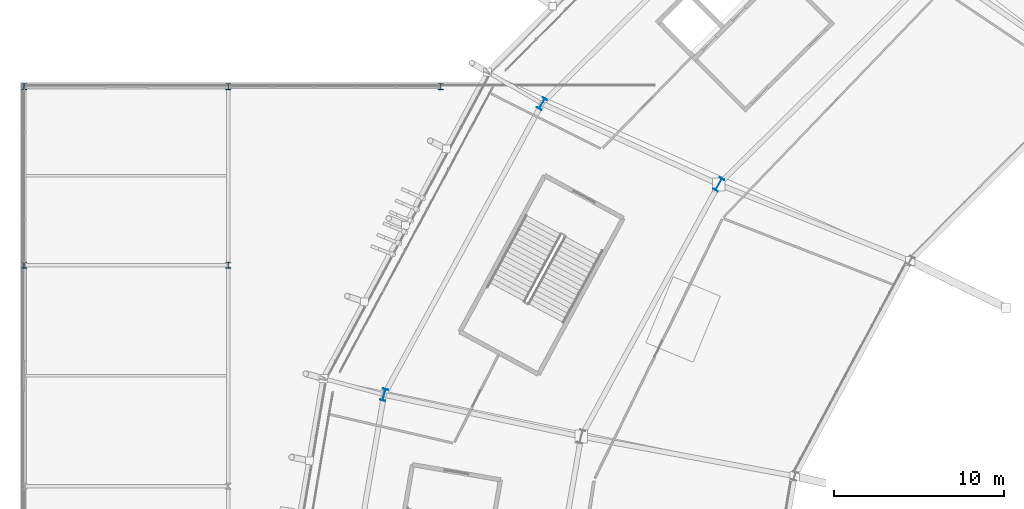
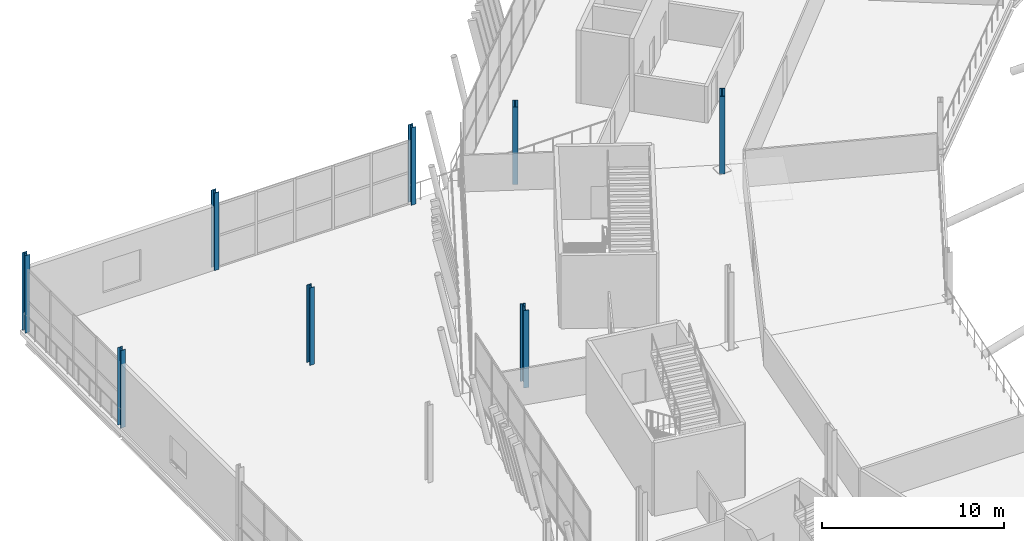
# One storey, part 7 of 168: 8 columns.
"""IFC4 building model written with IfcOpenShell, lengths in metres."""

from ifc_helpers import new_model, si_unit, direction, frame, origin, origin_2d, place, context, subcontext, project, spatial, i_section, extrude, material, material_profile, profile_set, type_object, element, save


model = new_model("IFC4")

# Units and contexts
model_context = context("Model", 3, precision=1e-05, world=origin(), true_north=direction((0.0, 1.0)))
body_context = subcontext(model_context, "Body", "Model", "MODEL_VIEW")
ifc_project = project(units=[si_unit("LENGTHUNIT", "METRE"), si_unit("AREAUNIT", "SQUARE_METRE"), si_unit("VOLUMEUNIT", "CUBIC_METRE"), si_unit("PLANEANGLEUNIT", "RADIAN"), si_unit("MASSUNIT", "GRAM", prefix="KILO")], contexts=[model_context])

# Site, building, storey
site_placement = place(None, origin())
site = spatial("IfcSite", under=ifc_project, at=site_placement, CompositionType="ELEMENT")
building_placement = place(site_placement, origin())
building = spatial("IfcBuilding", under=site, at=building_placement, Name="Zlatoyarsky Gate Stadium", CompositionType="ELEMENT")
storey_placement = place(building_placement, frame((0.0, 0.0, 15.60009765625)))
storey = spatial("IfcBuildingStorey", under=building, at=storey_placement, Name="L03", CompositionType="ELEMENT", Elevation=15.60009765625)

# Columns
ifc_material = material(Name="Steel S355", Category="steel")
ifc_material_profile_1 = material_profile(ifc_material, i_section(OverallWidth=0.300048828125, OverallDepth=0.360107421875, WebThickness=0.012451171875, FlangeThickness=0.0224609375, FilletRadius=0.027099609375, at=origin_2d()), Name="HEB 360")
ifc_profile_set_1 = profile_set([ifc_material_profile_1], Name="Steel S355")
column_type_1 = type_object("IfcColumnType", Name="STEEL COLUMN HEB 360", PredefinedType="COLUMN", material=ifc_profile_set_1)
for number, where, z_axis, x_axis, name in (
    (1, (0.0, 106.0, 0.0), (0.0, 0.0, 1.0), (1.0, 0.0, 0.0), "Column ST-C360 WG-1-K on L03"),
    (2, (0.0, 116.5, 0.0), (0.0, 0.0, 1.0), (1.0, 0.0, 0.0), "Column ST-C360 WG-1-L on L03"),
    (3, (12.0, 106.0, 0.0), (0.0, 0.0, 1.0), (1.0, 0.0, 0.0), "Column ST-C360 WG-2-K on L03"),
    (4, (12.0, 116.5, 0.0), (0.0, 0.0, 1.0), (1.0, 0.0, 0.0), "Column ST-C360 WG-2-L on L03"),
    (5, (24.5, 116.5, 0.0), (0.0, 0.0, 1.0), (1.0, 0.0, 0.0), "Column ST-C360 WG-3-L on L03"),
):
    element("IfcColumn", number, at=place(storey_placement, frame(where, z_axis=z_axis, x_axis=x_axis)), inside=storey, type_object=column_type_1, Name=name, PredefinedType="COLUMN", context=body_context, shape_type="SweptSolid", body=[
        extrude(i_section(OverallWidth=0.300048828125, OverallDepth=0.360107421875, WebThickness=0.012451171875, FlangeThickness=0.0224609375, FilletRadius=0.027099609375, at=origin_2d()), origin(), (0.0, 0.0, 1.0), 5.199951171875),
    ])
ifc_material_profile_2 = material_profile(ifc_material, i_section(OverallWidth=0.300048828125, OverallDepth=0.699951171875, WebThickness=0.01708984375, FlangeThickness=0.031982421875, FilletRadius=0.027099609375, at=origin_2d()), Name="HEB 700")
ifc_profile_set_2 = profile_set([ifc_material_profile_2], Name="Steel S355")
column_type_2 = type_object("IfcColumnType", Name="STEEL COLUMN HEB 700", PredefinedType="COLUMN", material=ifc_profile_set_2)
for number, where, z_axis, x_axis, name in (
    (6, (30.459716796875, 115.5, 0.0), (0.0, 0.0, 1.0), (-0.866025403784, 0.5, 0.0), "Column ST-C700 RC-10 on L03"),
    (7, (21.1689453125, 98.376220703125, 0.0), (0.0, 0.0, 1.0), (-0.965925826289, 0.258819045103, 0.0), "Column ST-C700 RC-11 on L03"),
):
    element("IfcColumn", number, at=place(storey_placement, frame(where, z_axis=z_axis, x_axis=x_axis)), inside=storey, type_object=column_type_2, Name=name, PredefinedType="COLUMN", context=body_context, shape_type="SweptSolid", body=[
        extrude(i_section(OverallWidth=0.300048828125, OverallDepth=0.699951171875, WebThickness=0.01708984375, FlangeThickness=0.031982421875, FilletRadius=0.027099609375, at=origin_2d()), origin(), (0.0, 0.0, 1.0), 5.199951171875),
    ])
ifc_material_profile_3 = material_profile(ifc_material, i_section(OverallWidth=0.300048828125, OverallDepth=0.800048828125, WebThickness=0.017578125, FlangeThickness=0.032958984375, FilletRadius=0.030029296875, at=origin_2d()), Name="HEB 800")
ifc_profile_set_3 = profile_set([ifc_material_profile_3], Name="Steel S355")
column_type_3 = type_object("IfcColumnType", Name="STEEL COLUMN HEB 800", PredefinedType="COLUMN", material=ifc_profile_set_3)
column_placement = place(storey_placement, frame((40.851806640625, 110.75, 0.0), z_axis=(0.0, 0.0, 1.0), x_axis=(-0.866025403784, 0.5, 0.0)))
element("IfcColumn", 8, at=column_placement, inside=storey, type_object=column_type_3, Name="Column ST-C800 RB-10 on L03", PredefinedType="COLUMN", context=body_context, shape_type="SweptSolid", body=[
    extrude(i_section(OverallWidth=0.300048828125, OverallDepth=0.800048828125, WebThickness=0.017578125, FlangeThickness=0.032958984375, FilletRadius=0.030029296875, at=origin_2d()), origin(), (0.0, 0.0, 1.0), 5.199951171875),
])

save(model, "model.ifc")
